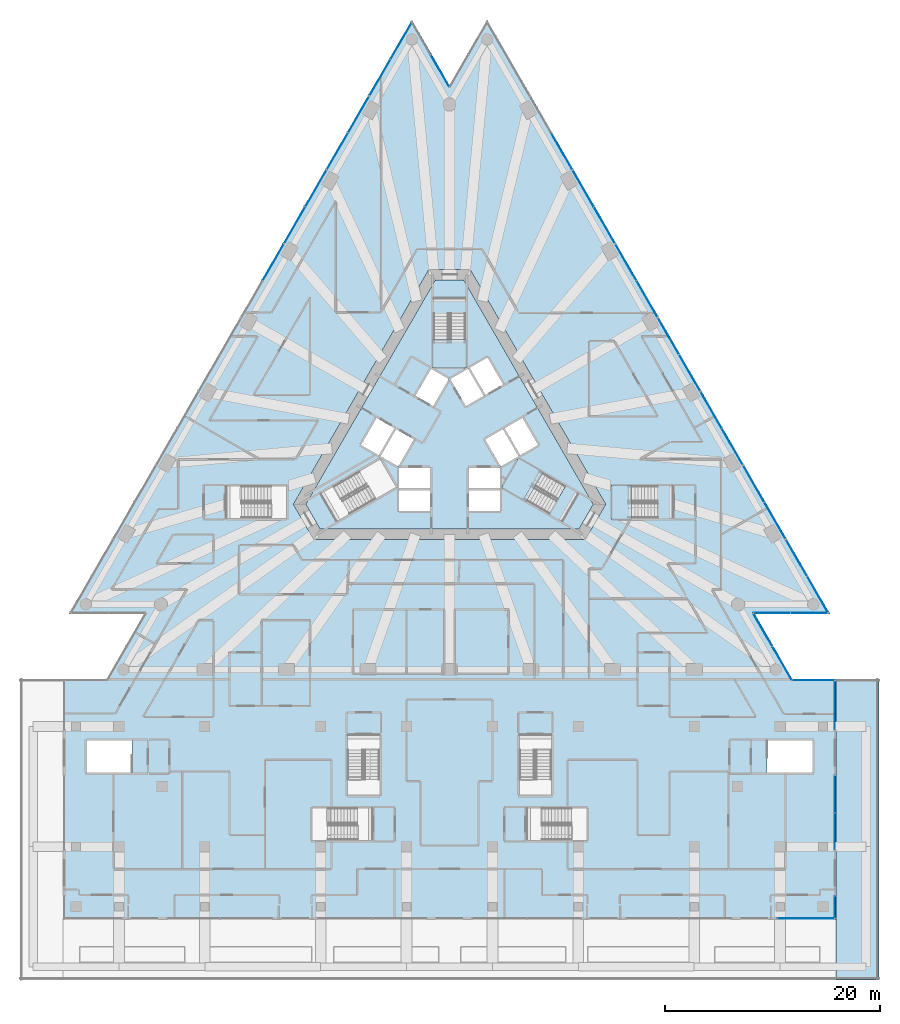
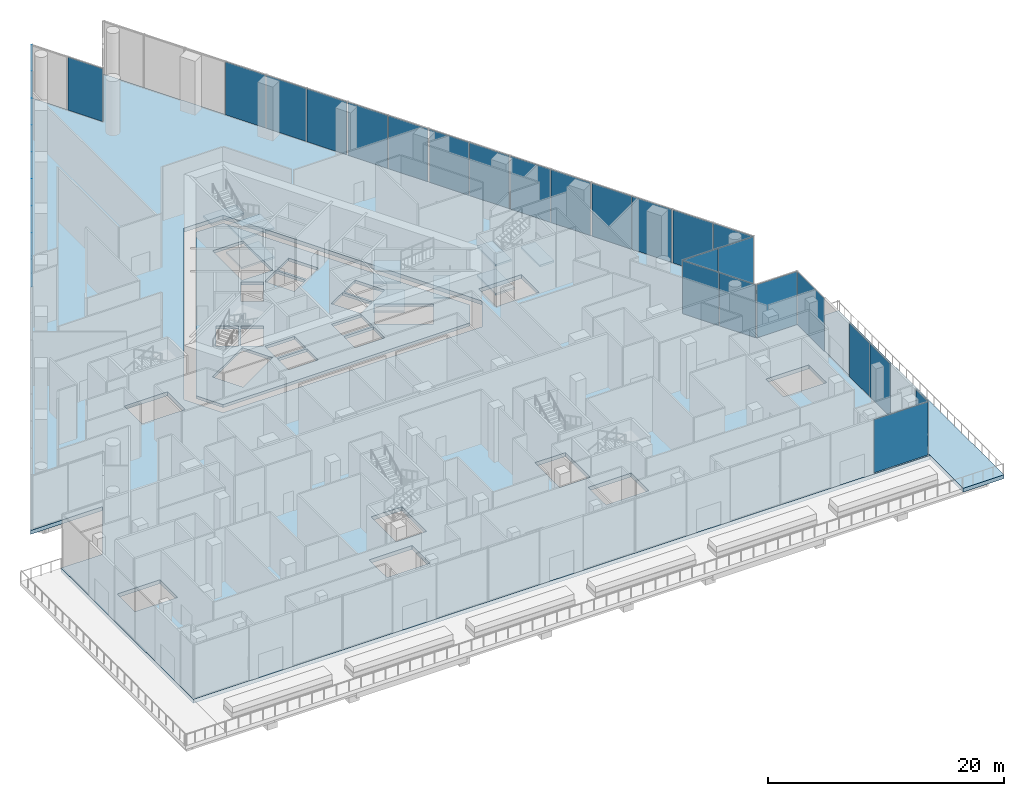
# One storey, part 20 of 36: 31 plates, 12 slabs, 22 elements without a shape of their own.
"""IFC4 building model written with IfcOpenShell, lengths in metres."""

from ifc_helpers import new_model, si_unit, direction, frame, origin, origin_2d, place, context, subcontext, project, spatial, polyline, rectangle, outline, extrude, material, layer, layer_set, layer_usage, type_object, element, aggregate, save


model = new_model("IFC4")

# Units and contexts
model_context = context("Model", 3, precision=1e-05, world=origin(), true_north=direction((0.0, 1.0)))
body_context = subcontext(model_context, "Body", "Model", "MODEL_VIEW")
ifc_project = project(units=[si_unit("LENGTHUNIT", "METRE"), si_unit("AREAUNIT", "SQUARE_METRE"), si_unit("VOLUMEUNIT", "CUBIC_METRE"), si_unit("PLANEANGLEUNIT", "RADIAN"), si_unit("MASSUNIT", "GRAM", prefix="KILO")], contexts=[model_context])

# Site, building, storey
site_placement = place(None, origin())
site = spatial("IfcSite", under=ifc_project, at=site_placement, CompositionType="ELEMENT")
building_placement = place(site_placement, origin())
building = spatial("IfcBuilding", under=site, at=building_placement, Name="Triada Interchange Tower", CompositionType="ELEMENT")
storey_placement = place(building_placement, frame((0.0, 0.0, 8.5)))
storey = spatial("IfcBuildingStorey", under=building, at=storey_placement, Name="L01", CompositionType="ELEMENT", Elevation=8.5)

# Slab
ifc_material_1 = material(Name="Concrete C50/60", Category="concrete")
ifc_layer_1 = layer(ifc_material_1, 0.300048828125)
ifc_layer_set_1 = layer_set([ifc_layer_1], Name="Floor slab 300")
slab_type_1 = type_object("IfcSlabType", Name="Floor slab 300", PredefinedType="FLOOR", material=ifc_layer_set_1)
slab_1_placement = place(storey_placement, frame((0.0, 0.0, -0.300048828125)))
element("IfcSlab", 1, at=slab_1_placement, inside=storey, type_object=slab_type_1, Name="Core floor slab L01 1", PredefinedType="FLOOR", context=body_context, shape_type="SweptSolid", body=[
    extrude(outline(polyline([(13.39501953125, -6.199951171875), (12.06689453125, -8.5), (-12.06689453125, -8.5), (-13.39501953125, -6.199951171875), (-1.327880859375, 14.699951171875), (1.327880859375, 14.699951171875), (13.39501953125, -6.199951171875)]), holes=[polyline([(9.2958984375, -7.09912109375), (10.7958984375, -4.5009765625), (6.466064453125, -2.0009765625), (4.966064453125, -4.59912109375), (9.2958984375, -7.09912109375)]), polyline([(6.7890625, 1.841064453125), (5.14404296875, 0.89111328125), (6.593994140625, -1.6201171875), (8.239013671875, -0.669921875), (6.7890625, 1.841064453125)]), polyline([(4.969970703125, 0.791015625), (3.324951171875, -0.158935546875), (4.77490234375, -2.669921875), (6.419921875, -1.719970703125), (4.969970703125, 0.791015625)]), polyline([(1.89404296875, 6.52001953125), (3.343994140625, 4.009033203125), (4.989013671875, 4.958984375), (3.5390625, 7.469970703125), (1.89404296875, 6.52001953125)]), polyline([(1.800048828125, -4.89990234375), (1.800048828125, -6.800048828125), (4.699951171875, -6.800048828125), (4.699951171875, -4.89990234375), (1.800048828125, -4.89990234375)]), polyline([(1.800048828125, -2.800048828125), (1.800048828125, -4.10107421875), (1.800048828125, -4.699951171875), (4.699951171875, -4.699951171875), (4.699951171875, -2.800048828125), (1.800048828125, -2.800048828125)]), polyline([(1.52490234375, 2.958984375), (1.708984375, 3.06494140625), (3.169921875, 3.908935546875), (1.719970703125, 6.419921875), (0.074951171875, 5.469970703125), (1.52490234375, 2.958984375)]), polyline([(1.5, 11.60009765625), (-1.5, 11.60009765625), (-1.5, 6.60009765625), (1.5, 6.60009765625), (1.5, 11.60009765625)]), polyline([(-1.52490234375, 2.958984375), (-0.074951171875, 5.469970703125), (-1.719970703125, 6.419921875), (-3.169921875, 3.908935546875), (-1.52490234375, 2.958984375)]), polyline([(-4.699951171875, -2.800048828125), (-4.699951171875, -4.699951171875), (-1.800048828125, -4.699951171875), (-1.800048828125, -4.10107421875), (-1.800048828125, -2.800048828125), (-4.699951171875, -2.800048828125)]), polyline([(-4.699951171875, -4.89990234375), (-4.699951171875, -6.800048828125), (-1.800048828125, -6.800048828125), (-1.800048828125, -4.89990234375), (-4.699951171875, -4.89990234375)]), polyline([(-3.324951171875, -0.158935546875), (-3.450927734375, -0.0859375), (-4.969970703125, 0.791015625), (-6.419921875, -1.719970703125), (-4.77490234375, -2.669921875), (-3.324951171875, -0.158935546875)]), polyline([(-10.7958984375, -4.5009765625), (-9.2958984375, -7.09912109375), (-4.966064453125, -4.59912109375), (-6.466064453125, -2.0009765625), (-10.7958984375, -4.5009765625)]), polyline([(-6.593994140625, -1.6201171875), (-5.14404296875, 0.89111328125), (-6.7890625, 1.841064453125), (-8.239013671875, -0.669921875), (-6.593994140625, -1.6201171875)])]), origin(), (0.0, 0.0, 1.0), 0.300048828125),
])

# Curtain wall, plates
ifc_material_2 = material(Name="Aluminium framed glazing", Category="aluminium")
ifc_layer_2 = layer(ifc_material_2, 0.199951171875)
ifc_layer_set_2 = layer_set([ifc_layer_2], Name="Curtain wall Concourse glazed screen")
curtain_wall_type_1 = type_object("IfcCurtainWallType", Name="Curtain wall Concourse glazed screen", PredefinedType="NOTDEFINED", material=ifc_layer_set_2)
curtain_wall_1_placement = place(storey_placement, origin())
curtain_wall_1 = element("IfcCurtainWall", 2, at=curtain_wall_1_placement, inside=storey, type_object=curtain_wall_type_1, Name="Concourse glazed screen CW017 L01", PredefinedType="NOTDEFINED")
ifc_material_3 = material(Name="Insulated glazing unit", Category="glass")
ifc_layer_3 = layer(ifc_material_3, 0.031982421875)
ifc_layer_set_3 = layer_set([ifc_layer_3], Name="Glazing panel Concourse glazed screen 32")
plate_type_1 = type_object("IfcPlateType", Name="Glazing panel Concourse glazed screen 32", PredefinedType="CURTAIN_PANEL", material=ifc_layer_set_3)
plate_1_placement = place(storey_placement, frame((34.291015625, -14.5927734375, 0.06005859375), z_axis=(0.0, 0.0, 1.0), x_axis=(-0.499958648825, 0.86604927658, 0.0)))
plate_1 = element("IfcPlate", 3, at=plate_1_placement, type_object=plate_type_1, Name="CW017 panel 1.1", PredefinedType="CURTAIN_PANEL", context=body_context, shape_type="SweptSolid", body=[
    extrude(rectangle(XDim=3.88037109375, YDim=0.031982421875, at=origin_2d()), origin(), (0.0, 0.0, 1.0), 5.47998046875),
])
plate_2_placement = place(storey_placement, frame((32.321044921875, -11.18017578125, 0.06005859375), z_axis=(0.0, 0.0, 1.0), x_axis=(-0.499958648825, 0.86604927658, 0.0)))
plate_2 = element("IfcPlate", 4, at=plate_2_placement, type_object=plate_type_1, Name="CW017 panel 2.1", PredefinedType="CURTAIN_PANEL", context=body_context, shape_type="SweptSolid", body=[
    extrude(rectangle(XDim=3.88037109375, YDim=0.031982421875, at=origin_2d()), origin(), (0.0, 0.0, 1.0), 5.47998046875),
])
aggregate(curtain_wall_1, [plate_1, plate_2])

curtain_wall_2_placement = place(storey_placement, origin())
curtain_wall_2 = element("IfcCurtainWall", 5, at=curtain_wall_2_placement, inside=storey, type_object=curtain_wall_type_1, Name="Concourse glazed screen CW018 L01", PredefinedType="NOTDEFINED")
plate_3_placement = place(storey_placement, frame((30.315673828125, -7.7080078125, 0.06005859375), z_axis=(0.0, 0.0, 1.0), x_axis=(-0.499947913852, 0.866055473648, 0.0)))
plate_3 = element("IfcPlate", 6, at=plate_3_placement, type_object=plate_type_1, Name="CW018 panel 1.1", PredefinedType="CURTAIN_PANEL", context=body_context, shape_type="SweptSolid", body=[
    extrude(rectangle(XDim=3.87744140625, YDim=0.031982421875, at=origin_2d()), origin(), (0.0, 0.0, 1.0), 5.47998046875),
])
plate_4_placement = place(storey_placement, frame((28.34716796875, -4.298095703125, 0.06005859375), z_axis=(0.0, 0.0, 1.0), x_axis=(-0.499947913852, 0.866055473648, 0.0)))
plate_4 = element("IfcPlate", 7, at=plate_4_placement, type_object=plate_type_1, Name="CW018 panel 2.1", PredefinedType="CURTAIN_PANEL", context=body_context, shape_type="SweptSolid", body=[
    extrude(rectangle(XDim=3.87744140625, YDim=0.031982421875, at=origin_2d()), origin(), (0.0, 0.0, 1.0), 5.47998046875),
])
aggregate(curtain_wall_2, [plate_3, plate_4])

curtain_wall_3_placement = place(storey_placement, origin())
curtain_wall_3 = element("IfcCurtainWall", 8, at=curtain_wall_3_placement, inside=storey, type_object=curtain_wall_type_1, Name="Concourse glazed screen CW019 L01", PredefinedType="NOTDEFINED")
plate_5_placement = place(storey_placement, frame((26.3427734375, -0.826904296875, 0.06005859375), z_axis=(0.0, 0.0, 1.0), x_axis=(-0.499947913852, 0.866055473648, 0.0)))
plate_5 = element("IfcPlate", 9, at=plate_5_placement, type_object=plate_type_1, Name="CW019 panel 1.1", PredefinedType="CURTAIN_PANEL", context=body_context, shape_type="SweptSolid", body=[
    extrude(rectangle(XDim=3.87744140625, YDim=0.031982421875, at=origin_2d()), origin(), (0.0, 0.0, 1.0), 5.47998046875),
])
plate_6_placement = place(storey_placement, frame((24.374267578125, 2.5830078125, 0.06005859375), z_axis=(0.0, 0.0, 1.0), x_axis=(-0.499947913852, 0.866055473648, 0.0)))
plate_6 = element("IfcPlate", 10, at=plate_6_placement, type_object=plate_type_1, Name="CW019 panel 2.1", PredefinedType="CURTAIN_PANEL", context=body_context, shape_type="SweptSolid", body=[
    extrude(rectangle(XDim=3.87744140625, YDim=0.031982421875, at=origin_2d()), origin(), (0.0, 0.0, 1.0), 5.47998046875),
])
aggregate(curtain_wall_3, [plate_5, plate_6])

curtain_wall_4_placement = place(storey_placement, origin())
curtain_wall_4 = element("IfcCurtainWall", 11, at=curtain_wall_4_placement, inside=storey, type_object=curtain_wall_type_1, Name="Concourse glazed screen CW020 L01", PredefinedType="NOTDEFINED")
plate_7_placement = place(storey_placement, frame((22.369873046875, 6.05419921875, 0.06005859375), z_axis=(0.0, 0.0, 1.0), x_axis=(-0.499893351442, 0.866086968603, 0.0)))
plate_7 = element("IfcPlate", 12, at=plate_7_placement, type_object=plate_type_1, Name="CW020 panel 1.1", PredefinedType="CURTAIN_PANEL", context=body_context, shape_type="SweptSolid", body=[
    extrude(rectangle(XDim=3.8779296875, YDim=0.031982421875, at=origin_2d()), origin(), (0.0, 0.0, 1.0), 5.47998046875),
])
plate_8_placement = place(storey_placement, frame((20.4013671875, 9.46484375, 0.06005859375), z_axis=(0.0, 0.0, 1.0), x_axis=(-0.499893351442, 0.866086968603, 0.0)))
plate_8 = element("IfcPlate", 13, at=plate_8_placement, type_object=plate_type_1, Name="CW020 panel 2.1", PredefinedType="CURTAIN_PANEL", context=body_context, shape_type="SweptSolid", body=[
    extrude(rectangle(XDim=3.8779296875, YDim=0.031982421875, at=origin_2d()), origin(), (0.0, 0.0, 1.0), 5.47998046875),
])
aggregate(curtain_wall_4, [plate_7, plate_8])

curtain_wall_5_placement = place(storey_placement, origin())
curtain_wall_5 = element("IfcCurtainWall", 14, at=curtain_wall_5_placement, inside=storey, type_object=curtain_wall_type_1, Name="Concourse glazed screen CW021 L01", PredefinedType="NOTDEFINED")
plate_9_placement = place(storey_placement, frame((18.396728515625, 12.935302734375, 0.06005859375), z_axis=(0.0, 0.0, 1.0), x_axis=(-0.499893351442, 0.866086968603, 0.0)))
plate_9 = element("IfcPlate", 15, at=plate_9_placement, type_object=plate_type_1, Name="CW021 panel 1.1", PredefinedType="CURTAIN_PANEL", context=body_context, shape_type="SweptSolid", body=[
    extrude(rectangle(XDim=3.8779296875, YDim=0.031982421875, at=origin_2d()), origin(), (0.0, 0.0, 1.0), 5.47998046875),
])
plate_10_placement = place(storey_placement, frame((16.42822265625, 16.345703125, 0.06005859375), z_axis=(0.0, 0.0, 1.0), x_axis=(-0.499893351442, 0.866086968603, 0.0)))
plate_10 = element("IfcPlate", 16, at=plate_10_placement, type_object=plate_type_1, Name="CW021 panel 2.1", PredefinedType="CURTAIN_PANEL", context=body_context, shape_type="SweptSolid", body=[
    extrude(rectangle(XDim=3.8779296875, YDim=0.031982421875, at=origin_2d()), origin(), (0.0, 0.0, 1.0), 5.47998046875),
])
aggregate(curtain_wall_5, [plate_9, plate_10])

curtain_wall_6_placement = place(storey_placement, origin())
curtain_wall_6 = element("IfcCurtainWall", 17, at=curtain_wall_6_placement, inside=storey, type_object=curtain_wall_type_1, Name="Concourse glazed screen CW022 L01", PredefinedType="NOTDEFINED")
plate_11_placement = place(storey_placement, frame((14.423828125, 19.81689453125, 0.06005859375), z_axis=(0.0, 0.0, 1.0), x_axis=(-0.499947913852, 0.866055473648, 0.0)))
plate_11 = element("IfcPlate", 18, at=plate_11_placement, type_object=plate_type_1, Name="CW022 panel 1.1", PredefinedType="CURTAIN_PANEL", context=body_context, shape_type="SweptSolid", body=[
    extrude(rectangle(XDim=3.87744140625, YDim=0.031982421875, at=origin_2d()), origin(), (0.0, 0.0, 1.0), 5.47998046875),
])
plate_12_placement = place(storey_placement, frame((12.455322265625, 23.22705078125, 0.06005859375), z_axis=(0.0, 0.0, 1.0), x_axis=(-0.499947913852, 0.866055473648, 0.0)))
plate_12 = element("IfcPlate", 19, at=plate_12_placement, type_object=plate_type_1, Name="CW022 panel 2.1", PredefinedType="CURTAIN_PANEL", context=body_context, shape_type="SweptSolid", body=[
    extrude(rectangle(XDim=3.87744140625, YDim=0.031982421875, at=origin_2d()), origin(), (0.0, 0.0, 1.0), 5.47998046875),
])
aggregate(curtain_wall_6, [plate_11, plate_12])

# Curtain wall, plate
curtain_wall_7_placement = place(storey_placement, origin())
curtain_wall_7 = element("IfcCurtainWall", 20, at=curtain_wall_7_placement, inside=storey, type_object=curtain_wall_type_1, Name="Concourse glazed screen CW023 L01", PredefinedType="NOTDEFINED")
plate_13_placement = place(storey_placement, frame((10.45068359375, 26.697998046875, 0.06005859375), z_axis=(0.0, 0.0, 1.0), x_axis=(-0.499947913852, 0.866055473648, 0.0)))
plate_13 = element("IfcPlate", 21, at=plate_13_placement, type_object=plate_type_1, Name="CW023 panel 1.1", PredefinedType="CURTAIN_PANEL", context=body_context, shape_type="SweptSolid", body=[
    extrude(rectangle(XDim=3.87744140625, YDim=0.031982421875, at=origin_2d()), origin(), (0.0, 0.0, 1.0), 5.47998046875),
])
aggregate(curtain_wall_7, [plate_13])

# Curtain wall, plates
curtain_wall_8_placement = place(storey_placement, origin())
curtain_wall_8 = element("IfcCurtainWall", 22, at=curtain_wall_8_placement, inside=storey, type_object=curtain_wall_type_1, Name="Concourse glazed screen CW027 L01", PredefinedType="NOTDEFINED")
plate_14_placement = place(storey_placement, frame((-4.507080078125, 36.99267578125, 0.06005859375), z_axis=(0.0, 0.0, 1.0), x_axis=(-0.499958648825, -0.86604927658, 0.0)))
plate_14 = element("IfcPlate", 23, at=plate_14_placement, type_object=plate_type_1, Name="CW027 panel 1.1", PredefinedType="CURTAIN_PANEL", context=body_context, shape_type="SweptSolid", body=[
    extrude(rectangle(XDim=3.88037109375, YDim=0.031982421875, at=origin_2d()), origin(), (0.0, 0.0, 1.0), 5.47998046875),
])
plate_15_placement = place(storey_placement, frame((-6.47705078125, 33.580322265625, 0.06005859375), z_axis=(0.0, 0.0, 1.0), x_axis=(-0.499958648825, -0.86604927658, 0.0)))
plate_15 = element("IfcPlate", 24, at=plate_15_placement, type_object=plate_type_1, Name="CW027 panel 2.1", PredefinedType="CURTAIN_PANEL", context=body_context, shape_type="SweptSolid", body=[
    extrude(rectangle(XDim=3.88037109375, YDim=0.031982421875, at=origin_2d()), origin(), (0.0, 0.0, 1.0), 5.47998046875),
])
aggregate(curtain_wall_8, [plate_14, plate_15])

curtain_wall_9_placement = place(storey_placement, origin())
curtain_wall_9 = element("IfcCurtainWall", 25, at=curtain_wall_9_placement, inside=storey, type_object=curtain_wall_type_1, Name="Concourse glazed screen CW028 L01", PredefinedType="NOTDEFINED")
plate_16_placement = place(storey_placement, frame((-8.482177734375, 30.10791015625, 0.06005859375), z_axis=(0.0, 0.0, 1.0), x_axis=(-0.499947913852, -0.866055473648, 0.0)))
plate_16 = element("IfcPlate", 26, at=plate_16_placement, type_object=plate_type_1, Name="CW028 panel 1.1", PredefinedType="CURTAIN_PANEL", context=body_context, shape_type="SweptSolid", body=[
    extrude(rectangle(XDim=3.87744140625, YDim=0.031982421875, at=origin_2d()), origin(), (0.0, 0.0, 1.0), 5.47998046875),
])
plate_17_placement = place(storey_placement, frame((-10.45068359375, 26.697998046875, 0.06005859375), z_axis=(0.0, 0.0, 1.0), x_axis=(-0.499947913852, -0.866055473648, 0.0)))
plate_17 = element("IfcPlate", 27, at=plate_17_placement, type_object=plate_type_1, Name="CW028 panel 2.1", PredefinedType="CURTAIN_PANEL", context=body_context, shape_type="SweptSolid", body=[
    extrude(rectangle(XDim=3.87744140625, YDim=0.031982421875, at=origin_2d()), origin(), (0.0, 0.0, 1.0), 5.47998046875),
])
aggregate(curtain_wall_9, [plate_16, plate_17])

curtain_wall_10_placement = place(storey_placement, origin())
curtain_wall_10 = element("IfcCurtainWall", 28, at=curtain_wall_10_placement, inside=storey, type_object=curtain_wall_type_1, Name="Concourse glazed screen CW029 L01", PredefinedType="NOTDEFINED")
plate_18_placement = place(storey_placement, frame((-12.455322265625, 23.22705078125, 0.06005859375), z_axis=(0.0, 0.0, 1.0), x_axis=(-0.499947913852, -0.866055473648, 0.0)))
plate_18 = element("IfcPlate", 29, at=plate_18_placement, type_object=plate_type_1, Name="CW029 panel 1.1", PredefinedType="CURTAIN_PANEL", context=body_context, shape_type="SweptSolid", body=[
    extrude(rectangle(XDim=3.87744140625, YDim=0.031982421875, at=origin_2d()), origin(), (0.0, 0.0, 1.0), 5.47998046875),
])
plate_19_placement = place(storey_placement, frame((-14.423828125, 19.81689453125, 0.06005859375), z_axis=(0.0, 0.0, 1.0), x_axis=(-0.499947913852, -0.866055473648, 0.0)))
plate_19 = element("IfcPlate", 30, at=plate_19_placement, type_object=plate_type_1, Name="CW029 panel 2.1", PredefinedType="CURTAIN_PANEL", context=body_context, shape_type="SweptSolid", body=[
    extrude(rectangle(XDim=3.87744140625, YDim=0.031982421875, at=origin_2d()), origin(), (0.0, 0.0, 1.0), 5.47998046875),
])
aggregate(curtain_wall_10, [plate_18, plate_19])

# Curtain wall, plate
curtain_wall_11_placement = place(storey_placement, origin())
curtain_wall_11 = element("IfcCurtainWall", 31, at=curtain_wall_11_placement, inside=storey, type_object=curtain_wall_type_1, Name="Concourse glazed screen CW030 L01", PredefinedType="NOTDEFINED")
plate_20_placement = place(storey_placement, frame((-16.42822265625, 16.345703125, 0.06005859375), z_axis=(0.0, 0.0, 1.0), x_axis=(-0.499893351442, -0.866086968603, 0.0)))
plate_20 = element("IfcPlate", 32, at=plate_20_placement, type_object=plate_type_1, Name="CW030 panel 1.1", PredefinedType="CURTAIN_PANEL", context=body_context, shape_type="SweptSolid", body=[
    extrude(rectangle(XDim=3.8779296875, YDim=0.031982421875, at=origin_2d()), origin(), (0.0, 0.0, 1.0), 5.47998046875),
])
aggregate(curtain_wall_11, [plate_20])

ifc_layer_4 = layer(ifc_material_2, 0.199951171875)
ifc_layer_set_4 = layer_set([ifc_layer_4], Name="Curtain wall Retail shopfront")
curtain_wall_type_2 = type_object("IfcCurtainWallType", Name="Curtain wall Retail shopfront", PredefinedType="NOTDEFINED", material=ifc_layer_set_4)
curtain_wall_12_placement = place(storey_placement, origin())
curtain_wall_12 = element("IfcCurtainWall", 33, at=curtain_wall_12_placement, inside=storey, type_object=curtain_wall_type_2, Name="Retail shopfront CW010 L01", PredefinedType="NOTDEFINED")
ifc_layer_5 = layer(ifc_material_3, 0.028076171875)
ifc_layer_set_5 = layer_set([ifc_layer_5], Name="Glazing panel Retail shopfront 28")
plate_type_2 = type_object("IfcPlateType", Name="Glazing panel Retail shopfront 28", PredefinedType="CURTAIN_PANEL", material=ifc_layer_set_5)
plate_21_placement = place(storey_placement, frame((33.2099609375, -44.800048828125, 0.050048828125), z_axis=(0.0, 0.0, 1.0), x_axis=(1.0, 0.0, 0.0)))
plate_21 = element("IfcPlate", 34, at=plate_21_placement, type_object=plate_type_2, Name="CW010 panel 1.1", PredefinedType="CURTAIN_PANEL", context=body_context, shape_type="SweptSolid", body=[
    extrude(rectangle(XDim=5.280029296875, YDim=0.028076171875, at=origin_2d()), origin(), (0.0, 0.0, 1.0), 5.5),
])
aggregate(curtain_wall_12, [plate_21])

curtain_wall_13_placement = place(storey_placement, origin())
curtain_wall_13 = element("IfcCurtainWall", 35, at=curtain_wall_13_placement, inside=storey, type_object=curtain_wall_type_2, Name="Retail shopfront CW011 L01", PredefinedType="NOTDEFINED")
plate_22_placement = place(storey_placement, frame((35.89990234375, -43.72509765625, 0.050048828125), z_axis=(0.0, 0.0, 1.0), x_axis=(0.0, 1.0, 0.0)))
plate_22 = element("IfcPlate", 36, at=plate_22_placement, type_object=plate_type_2, Name="CW011 panel 1.1", PredefinedType="CURTAIN_PANEL", context=body_context, shape_type="SweptSolid", body=[
    extrude(rectangle(XDim=2.050048828125, YDim=0.028076171875, at=origin_2d()), origin(), (0.0, 0.0, 1.0), 5.5),
])
aggregate(curtain_wall_13, [plate_22])

# Curtain wall, plates
curtain_wall_14_placement = place(storey_placement, origin())
curtain_wall_14 = element("IfcCurtainWall", 37, at=curtain_wall_14_placement, inside=storey, type_object=curtain_wall_type_2, Name="Retail shopfront CW012 L01", PredefinedType="NOTDEFINED")
plate_23_placement = place(storey_placement, frame((35.89990234375, -36.6875, 0.050048828125), z_axis=(0.0, 0.0, 1.0), x_axis=(0.0, 1.0, 0.0)))
plate_23 = element("IfcPlate", 38, at=plate_23_placement, type_object=plate_type_2, Name="CW012 panel 1.1", PredefinedType="CURTAIN_PANEL", context=body_context, shape_type="SweptSolid", body=[
    extrude(rectangle(XDim=3.425048828125, YDim=0.028076171875, at=origin_2d()), origin(), (0.0, 0.0, 1.0), 5.5),
])
plate_24_placement = place(storey_placement, frame((35.89990234375, -33.21240234375, 0.050048828125), z_axis=(0.0, 0.0, 1.0), x_axis=(0.0, 1.0, 0.0)))
plate_24 = element("IfcPlate", 39, at=plate_24_placement, type_object=plate_type_2, Name="CW012 panel 2.1", PredefinedType="CURTAIN_PANEL", context=body_context, shape_type="SweptSolid", body=[
    extrude(rectangle(XDim=3.425048828125, YDim=0.028076171875, at=origin_2d()), origin(), (0.0, 0.0, 1.0), 5.5),
])
aggregate(curtain_wall_14, [plate_23, plate_24])

# Curtain wall, plate
curtain_wall_15_placement = place(storey_placement, origin())
curtain_wall_15 = element("IfcCurtainWall", 40, at=curtain_wall_15_placement, inside=storey, type_object=curtain_wall_type_2, Name="Retail shopfront CW013 L01", PredefinedType="NOTDEFINED")
plate_25_placement = place(storey_placement, frame((35.89990234375, -24.925048828125, 0.050048828125), z_axis=(0.0, 0.0, 1.0), x_axis=(0.0, 1.0, 0.0)))
plate_25 = element("IfcPlate", 41, at=plate_25_placement, type_object=plate_type_2, Name="CW013 panel 1.1", PredefinedType="CURTAIN_PANEL", context=body_context, shape_type="SweptSolid", body=[
    extrude(rectangle(XDim=4.550048828125, YDim=0.028076171875, at=origin_2d()), origin(), (0.0, 0.0, 1.0), 5.5),
])
aggregate(curtain_wall_15, [plate_25])

curtain_wall_16_placement = place(storey_placement, origin())
curtain_wall_16 = element("IfcCurtainWall", 42, at=curtain_wall_16_placement, inside=storey, type_object=curtain_wall_type_2, Name="Retail shopfront CW014 L01", PredefinedType="NOTDEFINED")
plate_26_placement = place(storey_placement, frame((33.89892578125, -22.60009765625, 0.050048828125), z_axis=(0.0, 0.0, 1.0), x_axis=(-1.0, 0.0, 0.0)))
plate_26 = element("IfcPlate", 43, at=plate_26_placement, type_object=plate_type_2, Name="CW014 panel 1.1", PredefinedType="CURTAIN_PANEL", context=body_context, shape_type="SweptSolid", body=[
    extrude(rectangle(XDim=3.902099609375, YDim=0.028076171875, at=origin_2d()), origin(), (0.0, 0.0, 1.0), 5.5),
])
aggregate(curtain_wall_16, [plate_26])

# Curtain wall, plates
ifc_layer_6 = layer(ifc_material_2, 0.199951171875)
ifc_layer_set_6 = layer_set([ifc_layer_6], Name="Curtain wall Tower lobby glazing")
curtain_wall_type_3 = type_object("IfcCurtainWallType", Name="Curtain wall Tower lobby glazing", PredefinedType="NOTDEFINED", material=ifc_layer_set_6)
curtain_wall_17_placement = place(storey_placement, origin())
curtain_wall_17 = element("IfcCurtainWall", 44, at=curtain_wall_17_placement, inside=storey, type_object=curtain_wall_type_3, Name="Tower lobby glazing CW015 L01", PredefinedType="NOTDEFINED")
ifc_layer_7 = layer(ifc_material_3, 0.031982421875)
ifc_layer_set_7 = layer_set([ifc_layer_7], Name="Glazing panel Tower lobby glazing 32")
plate_type_3 = type_object("IfcPlateType", Name="Glazing panel Tower lobby glazing 32", PredefinedType="CURTAIN_PANEL", material=ifc_layer_set_7)
plate_27_placement = place(storey_placement, frame((30.985107421875, -21.018310546875, 0.06005859375), z_axis=(0.0, 0.0, 1.0), x_axis=(-0.499909634761, 0.866077569894, 0.0)))
plate_27 = element("IfcPlate", 45, at=plate_27_placement, type_object=plate_type_3, Name="CW015 panel 1.1", PredefinedType="CURTAIN_PANEL", context=body_context, shape_type="SweptSolid", body=[
    extrude(rectangle(XDim=3.53271484375, YDim=0.031982421875, at=origin_2d()), origin(), (0.0, 0.0, 1.0), 5.47998046875),
])
plate_28_placement = place(storey_placement, frame((29.18896484375, -17.90673828125, 0.06005859375), z_axis=(0.0, 0.0, 1.0), x_axis=(-0.499909634761, 0.866077569894, 0.0)))
plate_28 = element("IfcPlate", 46, at=plate_28_placement, type_object=plate_type_3, Name="CW015 panel 2.1", PredefinedType="CURTAIN_PANEL", context=body_context, shape_type="SweptSolid", body=[
    extrude(rectangle(XDim=3.53271484375, YDim=0.031982421875, at=origin_2d()), origin(), (0.0, 0.0, 1.0), 5.47998046875),
])
aggregate(curtain_wall_17, [plate_27, plate_28])

curtain_wall_18_placement = place(storey_placement, origin())
curtain_wall_18 = element("IfcCurtainWall", 47, at=curtain_wall_18_placement, inside=storey, type_object=curtain_wall_type_3, Name="Tower lobby glazing CW016 L01", PredefinedType="NOTDEFINED")
plate_29_placement = place(storey_placement, frame((30.044677734375, -16.324951171875, 0.06005859375), z_axis=(0.0, 0.0, 1.0), x_axis=(1.0, 0.0, 0.0)))
plate_29 = element("IfcPlate", 48, at=plate_29_placement, type_object=plate_type_3, Name="CW016 panel 1.1", PredefinedType="CURTAIN_PANEL", context=body_context, shape_type="SweptSolid", body=[
    extrude(rectangle(XDim=3.41748046875, YDim=0.031982421875, at=origin_2d()), origin(), (0.0, 0.0, 1.0), 5.47998046875),
])
plate_30_placement = place(storey_placement, frame((33.522216796875, -16.324951171875, 0.06005859375), z_axis=(0.0, 0.0, 1.0), x_axis=(1.0, 0.0, 0.0)))
plate_30 = element("IfcPlate", 49, at=plate_30_placement, type_object=plate_type_3, Name="CW016 panel 2.1", PredefinedType="CURTAIN_PANEL", context=body_context, shape_type="SweptSolid", body=[
    extrude(rectangle(XDim=3.41748046875, YDim=0.031982421875, at=origin_2d()), origin(), (0.0, 0.0, 1.0), 5.47998046875),
])
aggregate(curtain_wall_18, [plate_29, plate_30])

# Curtain wall, plate
curtain_wall_19_placement = place(storey_placement, origin())
curtain_wall_19 = element("IfcCurtainWall", 50, at=curtain_wall_19_placement, inside=storey, type_object=curtain_wall_type_3, Name="Tower lobby glazing CW026 L01", PredefinedType="NOTDEFINED")
plate_31_placement = place(storey_placement, frame((-0.88427734375, 34.181640625, 0.06005859375), z_axis=(0.0, 0.0, 1.0), x_axis=(-0.499956922962, 0.866050272896, 0.0)))
plate_31 = element("IfcPlate", 51, at=plate_31_placement, type_object=plate_type_3, Name="CW026 panel 1.1", PredefinedType="CURTAIN_PANEL", context=body_context, shape_type="SweptSolid", body=[
    extrude(rectangle(XDim=3.417236328125, YDim=0.031982421875, at=origin_2d()), origin(), (0.0, 0.0, 1.0), 5.47998046875),
])
aggregate(curtain_wall_19, [plate_31])

# Slab
ifc_material_4 = material(Name="Concrete C40/50", Category="concrete")
ifc_layer_8 = layer(ifc_material_4, 0.39990234375)
ifc_layer_set_8 = layer_set([ifc_layer_8], Name="Podium slab 400")
slab_type_2 = type_object("IfcSlabType", Name="Podium slab 400", PredefinedType="FLOOR", material=ifc_layer_set_8)
slab_2_placement = place(storey_placement, frame((0.0, 0.0, -0.39990234375)))
element("IfcSlab", 52, at=slab_2_placement, inside=storey, type_object=slab_type_2, Name="Floor slab L01", PredefinedType="FLOOR", context=body_context, shape_type="SweptSolid", body=[
    extrude(outline(polyline([(-36.0, -44.89990234375), (36.0, -44.89990234375), (36.0, -22.5), (31.9560546875, -22.5), (28.448974609375, -16.425048828125), (35.464111328125, -16.425048828125), (3.507080078125, 38.925048828125), (0.0, 32.85009765625), (-3.507080078125, 38.925048828125), (-35.464111328125, -16.425048828125), (-28.448974609375, -16.425048828125), (-31.9560546875, -22.5), (-36.0, -22.5), (-36.0, -44.89990234375)]), holes=[polyline([(-8.60009765625, -37.5), (-12.800048828125, -37.5), (-12.800048828125, -34.5), (-8.60009765625, -34.5), (-8.60009765625, -37.5)]), polyline([(8.60009765625, -34.5), (12.800048828125, -34.5), (12.800048828125, -37.5), (8.60009765625, -37.5), (8.60009765625, -34.5)]), polyline([(-6.5, -29.10009765625), (-6.5, -33.300048828125), (-9.5, -33.300048828125), (-9.5, -29.10009765625), (-6.5, -29.10009765625)]), polyline([(9.5, -29.10009765625), (9.5, -33.300048828125), (6.5, -33.300048828125), (6.5, -29.10009765625), (9.5, -29.10009765625)]), polyline([(-29.60009765625, -31.199951171875), (-33.800048828125, -31.199951171875), (-33.800048828125, -28.199951171875), (-29.60009765625, -28.199951171875), (-29.60009765625, -31.199951171875)]), polyline([(29.60009765625, -28.199951171875), (33.800048828125, -28.199951171875), (33.800048828125, -31.199951171875), (29.60009765625, -31.199951171875), (29.60009765625, -28.199951171875)]), polyline([(-19.39990234375, -4.5), (-15.199951171875, -4.5), (-15.199951171875, -7.5), (-19.39990234375, -7.5), (-19.39990234375, -4.5)]), polyline([(15.199951171875, -7.5), (15.199951171875, -4.5), (19.39990234375, -4.5), (19.39990234375, -7.5), (15.199951171875, -7.5)]), polyline([(-14.549072265625, -6.199951171875), (-1.905029296875, 15.699951171875), (1.905029296875, 15.699951171875), (14.549072265625, -6.199951171875), (12.64404296875, -9.5), (-12.64404296875, -9.5), (-14.549072265625, -6.199951171875)])]), origin(), (0.0, 0.0, 1.0), 0.39990234375),
])

# Stair, slabs
ifc_material_5 = material(Name="Concrete C35/45", Category="concrete")
stair_type = type_object("IfcStairType", Name="HALF TURN STAIR 1400", PredefinedType="HALF_TURN_STAIR", material=ifc_material_5)
stair_1_placement = place(storey_placement, origin())
stair_1 = element("IfcStair", 53, at=stair_1_placement, inside=storey, type_object=stair_type, Name="Exit stair S01-1", PredefinedType="HALF_TURN_STAIR")
ifc_layer_9 = layer(ifc_material_5, 0.199951171875)
ifc_layer_set_9 = layer_set([ifc_layer_9], Name="STAIR LANDING 200")
slab_type_3 = type_object("IfcSlabType", Name="STAIR LANDING 200", PredefinedType="LANDING", material=ifc_layer_set_9)
slab_3_placement = place(storey_placement, frame((0.0, 0.0, 1.220947265625)))
slab_3 = element("IfcSlab", 54, at=slab_3_placement, type_object=slab_type_3, Name="S01-1 landing 1", PredefinedType="LANDING", context=body_context, shape_type="SweptSolid", body=[
    extrude(outline(polyline([(1.60009765625, 6.5), (1.60009765625, 9.159912109375), (-1.60009765625, 9.159912109375), (-1.60009765625, 6.5), (1.60009765625, 6.5)])), origin(), (0.0, 0.0, 1.0), 0.199951171875),
])
slab_4_placement = place(storey_placement, frame((0.0, 0.0, 4.220947265625)))
slab_4 = element("IfcSlab", 55, at=slab_4_placement, type_object=slab_type_3, Name="S01-1 landing 2", PredefinedType="LANDING", context=body_context, shape_type="SweptSolid", body=[
    extrude(outline(polyline([(1.60009765625, 6.5), (1.60009765625, 8.85498046875), (-1.60009765625, 8.85498046875), (-1.60009765625, 6.5), (1.60009765625, 6.5)])), origin(), (0.0, 0.0, 1.0), 0.199951171875),
])
slab_5_placement = place(storey_placement, frame((0.0, 0.0, 2.64208984375)))
slab_5 = element("IfcSlab", 56, at=slab_5_placement, type_object=slab_type_3, Name="S01-1 landing 3", PredefinedType="LANDING", context=body_context, shape_type="SweptSolid", body=[
    extrude(outline(polyline([(1.60009765625, 11.60009765625), (1.60009765625, 13.0), (-1.60009765625, 13.0), (-1.60009765625, 11.60009765625), (1.60009765625, 11.60009765625)])), origin(), (0.0, 0.0, 1.0), 0.199951171875),
])
aggregate(stair_1, [slab_3, slab_4, slab_5])

stair_2_placement = place(storey_placement, origin())
stair_2 = element("IfcStair", 57, at=stair_2_placement, inside=storey, type_object=stair_type, Name="Exit stair S01-3", PredefinedType="HALF_TURN_STAIR")
slab_6_placement = place(storey_placement, frame((0.0, 0.0, 1.220947265625)))
slab_6 = element("IfcSlab", 58, at=slab_6_placement, type_object=slab_type_3, Name="S01-3 landing 1", PredefinedType="LANDING", context=body_context, shape_type="SweptSolid", body=[
    extrude(outline(polyline([(4.8291015625, -4.635986328125), (7.133056640625, -5.966064453125), (8.73291015625, -3.194091796875), (6.428955078125, -1.864013671875), (4.8291015625, -4.635986328125)])), origin(), (0.0, 0.0, 1.0), 0.199951171875),
])
slab_7_placement = place(storey_placement, frame((0.0, 0.0, 4.220947265625)))
slab_7 = element("IfcSlab", 59, at=slab_7_placement, type_object=slab_type_3, Name="S01-3 landing 2", PredefinedType="LANDING", context=body_context, shape_type="SweptSolid", body=[
    extrude(outline(polyline([(4.8291015625, -4.635986328125), (6.868896484375, -5.81298828125), (8.468994140625, -3.0419921875), (6.428955078125, -1.864013671875), (4.8291015625, -4.635986328125)])), origin(), (0.0, 0.0, 1.0), 0.199951171875),
])
slab_8_placement = place(storey_placement, frame((0.0, 0.0, 2.64208984375)))
slab_8 = element("IfcSlab", 60, at=slab_8_placement, type_object=slab_type_3, Name="S01-3 landing 3", PredefinedType="LANDING", context=body_context, shape_type="SweptSolid", body=[
    extrude(outline(polyline([(9.24609375, -7.18603515625), (10.4580078125, -7.885986328125), (12.05810546875, -5.114013671875), (10.845947265625, -4.4140625), (9.24609375, -7.18603515625)])), origin(), (0.0, 0.0, 1.0), 0.199951171875),
])
aggregate(stair_2, [slab_6, slab_7, slab_8])

stair_3_placement = place(storey_placement, origin())
stair_3 = element("IfcStair", 61, at=stair_3_placement, inside=storey, type_object=stair_type, Name="Exit stair S01-7", PredefinedType="HALF_TURN_STAIR")
slab_9_placement = place(storey_placement, frame((0.0, 0.0, 1.220947265625)))
slab_9 = element("IfcSlab", 62, at=slab_9_placement, type_object=slab_type_3, Name="S01-7 landing 1", PredefinedType="LANDING", context=body_context, shape_type="SweptSolid", body=[
    extrude(outline(polyline([(15.10009765625, -7.60009765625), (16.9599609375, -7.60009765625), (16.9599609375, -4.39990234375), (15.10009765625, -4.39990234375), (15.10009765625, -7.60009765625)])), origin(), (0.0, 0.0, 1.0), 0.199951171875),
])
slab_10_placement = place(storey_placement, frame((0.0, 0.0, 4.220947265625)))
slab_10 = element("IfcSlab", 63, at=slab_10_placement, type_object=slab_type_3, Name="S01-7 landing 2", PredefinedType="LANDING", context=body_context, shape_type="SweptSolid", body=[
    extrude(outline(polyline([(15.10009765625, -7.60009765625), (16.655029296875, -7.60009765625), (16.655029296875, -4.39990234375), (15.10009765625, -4.39990234375), (15.10009765625, -7.60009765625)])), origin(), (0.0, 0.0, 1.0), 0.199951171875),
])
slab_11_placement = place(storey_placement, frame((0.0, 0.0, 2.64208984375)))
slab_11 = element("IfcSlab", 64, at=slab_11_placement, type_object=slab_type_3, Name="S01-7 landing 3", PredefinedType="LANDING", context=body_context, shape_type="SweptSolid", body=[
    extrude(outline(polyline([(19.39990234375, -7.60009765625), (20.800048828125, -7.60009765625), (20.800048828125, -4.39990234375), (19.39990234375, -4.39990234375), (19.39990234375, -7.60009765625)])), origin(), (0.0, 0.0, 1.0), 0.199951171875),
])
aggregate(stair_3, [slab_9, slab_10, slab_11])

# Slab
ifc_material_6 = material(Name="Concrete C30/37 paving slab", Category="concrete")
ifc_layer_10 = layer(ifc_material_6, 0.0400390625, Name="Paving slab")
ifc_material_7 = material(Name="Drainage mat")
ifc_layer_11 = layer(ifc_material_7, 0.02490234375, Name="Drainage layer")
ifc_material_8 = material(Name="Bituminous membrane")
ifc_layer_12 = layer(ifc_material_8, 0.0048828125, Name="Waterproof membrane")
ifc_material_9 = material(Name="Mineral wool")
ifc_layer_13 = layer(ifc_material_9, 0.080078125, Name="Thermal insulation")
ifc_material_10 = material(Name="Screed CT-C25-F4")
ifc_layer_14 = layer(ifc_material_10, 0.050048828125, Name="Screed to falls")
ifc_layer_15 = layer(ifc_material_4, 0.199951171875, Name="Reinforced concrete slab")
ifc_layer_set_10 = layer_set([ifc_layer_10, ifc_layer_11, ifc_layer_12, ifc_layer_13, ifc_layer_14, ifc_layer_15], Name="Terrace slab 400")
ifc_layer_usage = layer_usage(ifc_layer_set_10, "AXIS3", "POSITIVE", 0.0)
slab_type_4 = type_object("IfcSlabType", Name="Terrace slab 400", PredefinedType="FLOOR", material=ifc_layer_set_10)
slab_12_placement = place(storey_placement, frame((0.0, 0.0, -0.39990234375)))
element("IfcSlab", 65, at=slab_12_placement, inside=storey, type_object=slab_type_4, material=ifc_layer_usage, Name="Terrace slab L01 2", PredefinedType="FLOOR", context=body_context, shape_type="SweptSolid", body=[
    extrude(outline(polyline([(36.0, -50.5), (40.0, -50.5), (40.0, -22.5), (36.0, -22.5), (36.0, -50.5)])), origin(), (0.0, 0.0, 1.0), 0.39990234375),
])

save(model, "model.ifc")
